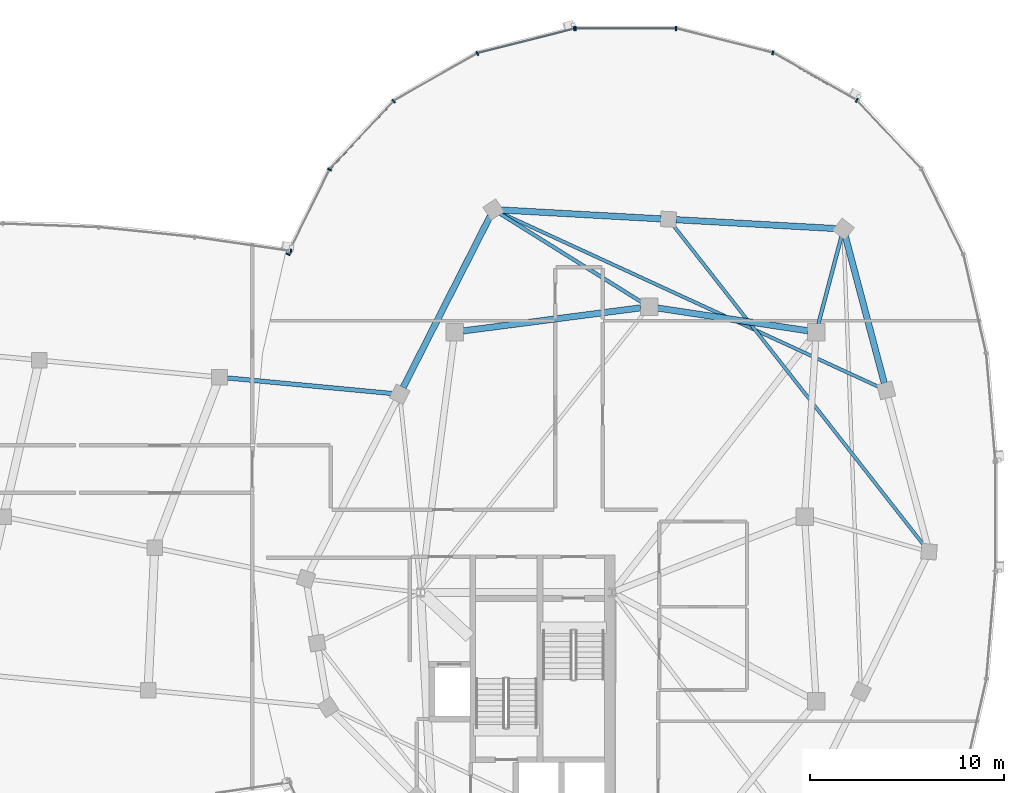
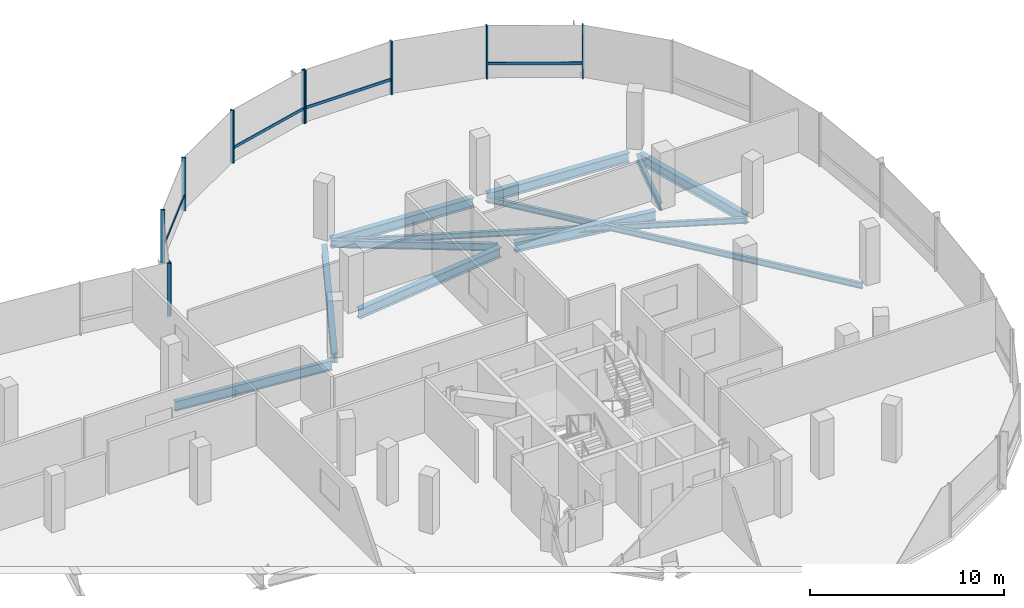
# One storey, part 10 of 25: 14 members, 11 beams, 3 elements without a shape of their own.
"""IFC4 building model written with IfcOpenShell, lengths in metres."""

from ifc_helpers import new_model, si_unit, direction, frame, origin, origin_2d, place, context, subcontext, project, spatial, rectangle, i_section, extrude, material, material_profile, profile_set, type_object, element, aggregate, save


model = new_model("IFC4")

# Units and contexts
model_context = context("Model", 3, precision=1e-05, world=origin(), true_north=direction((0.0, 1.0)))
body_context = subcontext(model_context, "Body", "Model", "MODEL_VIEW")
ifc_project = project(units=[si_unit("LENGTHUNIT", "METRE"), si_unit("AREAUNIT", "SQUARE_METRE"), si_unit("VOLUMEUNIT", "CUBIC_METRE"), si_unit("PLANEANGLEUNIT", "RADIAN"), si_unit("MASSUNIT", "GRAM", prefix="KILO"), si_unit("THERMODYNAMICTEMPERATUREUNIT", "KELVIN"), si_unit("POWERUNIT", "WATT")], contexts=[model_context])

# Site, building, storey
site_placement = place(None, origin())
site = spatial("IfcSite", under=ifc_project, at=site_placement, CompositionType="ELEMENT")
building_placement = place(site_placement, origin())
building = spatial("IfcBuilding", under=site, at=building_placement, Name="Cundina Bronze Exchange", CompositionType="ELEMENT")
storey_placement = place(building_placement, frame((0.0, 0.0, 257.60009765625)))
storey = spatial("IfcBuildingStorey", under=building, at=storey_placement, Name="L68", CompositionType="ELEMENT", Elevation=257.60009765625)

# Beams
ifc_material_1 = material(Name="Steel ASTM A992 Grade 50", Category="steel")
ifc_material_profile_1 = material_profile(ifc_material_1, i_section(OverallWidth=0.19091796875, OverallDepth=0.4599609375, WebThickness=0.010009765625, FlangeThickness=0.01611328125, FilletRadius=0.011962890625, at=origin_2d()), Name="W18X55", Category="steel")
ifc_profile_set_1 = profile_set([ifc_material_profile_1], Name="Steel ASTM A992 Grade 50")
beam_type_1 = type_object("IfcBeamType", Name="BM-FLR-W18B", PredefinedType="BEAM", material=ifc_profile_set_1)
beam_1_placement = place(storey_placement, frame((41.911865234375, 9.923583984375, -0.489990234375), z_axis=(0.255383723615, 0.96683977665, 0.0), x_axis=(-0.96683977665, 0.255383723615, 0.0)))
element("IfcBeam", 1, at=beam_1_placement, inside=storey, type_object=beam_type_1, Name="L68 Leg E Chordal Floor Beam 10", PredefinedType="BEAM", context=body_context, shape_type="SweptSolid", body=[
    extrude(i_section(OverallWidth=0.19091796875, OverallDepth=0.4599609375, WebThickness=0.010009765625, FlangeThickness=0.01611328125, FilletRadius=0.011962890625, at=origin_2d()), origin(), (0.0, 0.0, 1.0), 4.655517578125),
])
beam_2_placement = place(storey_placement, frame((32.82861328125, 11.031982421875, -0.489990234375), z_axis=(-0.847983963552, 0.530021884038, 0.0), x_axis=(-0.530021884038, -0.847983963552, 0.0)))
element("IfcBeam", 2, at=beam_2_placement, inside=storey, type_object=beam_type_1, Name="L68 Leg E Chordal Floor Beam 12", PredefinedType="BEAM", context=body_context, shape_type="SweptSolid", body=[
    extrude(i_section(OverallWidth=0.19091796875, OverallDepth=0.4599609375, WebThickness=0.010009765625, FlangeThickness=0.01611328125, FilletRadius=0.011962890625, at=origin_2d()), origin(), (0.0, 0.0, 1.0), 8.608154296875),
])
ifc_material_profile_2 = material_profile(ifc_material_1, i_section(OverallWidth=0.22998046875, OverallDepth=0.616943359375, WebThickness=0.01318359375, FlangeThickness=0.022216796875, FilletRadius=0.013916015625, at=origin_2d()), Name="W24X94", Category="steel")
ifc_profile_set_2 = profile_set([ifc_material_profile_2], Name="Steel ASTM A992 Grade 50")
beam_type_2 = type_object("IfcBeamType", Name="BM-FLR-W24B", PredefinedType="BEAM", material=ifc_profile_set_2)
beam_3_placement = place(storey_placement, frame((11.285400390625, 7.158203125, -0.628662109375), z_axis=(0.995572136276, -0.094000646124, 0.0), x_axis=(0.094000646124, 0.995572136276, 0.0)))
element("IfcBeam", 3, at=beam_3_placement, inside=storey, type_object=beam_type_2, Name="L68 Sky-Gate Longitudinal Girder Y3-P4", PredefinedType="BEAM", context=body_context, shape_type="SweptSolid", body=[
    extrude(i_section(OverallWidth=0.22998046875, OverallDepth=0.616943359375, WebThickness=0.01318359375, FlangeThickness=0.022216796875, FilletRadius=0.013916015625, at=origin_2d()), origin(), (0.0, 0.0, 1.0), 8.949951171875),
])
ifc_material_profile_3 = material_profile(ifc_material_1, i_section(OverallWidth=0.172119140625, OverallDepth=0.35791015625, WebThickness=0.0078125, FlangeThickness=0.01318359375, FilletRadius=0.010009765625, at=origin_2d()), Name="W14X38", Category="steel")
ifc_profile_set_3 = profile_set([ifc_material_profile_3], Name="Steel ASTM A992 Grade 50")
beam_type_3 = type_object("IfcBeamType", Name="BM-JST-W14", PredefinedType="JOIST", material=ifc_profile_set_3)
beam_4_placement = place(storey_placement, frame((47.360595703125, -1.49462890625, -0.439208984375), z_axis=(-0.616804005008, 0.78711677622, 0.0), x_axis=(-0.78711677622, -0.616804005008, 0.0)))
element("IfcBeam", 4, at=beam_4_placement, inside=storey, type_object=beam_type_3, Name="L68 Leg E Lobe Floor Joist 08-11", PredefinedType="JOIST", context=body_context, shape_type="SweptSolid", body=[
    extrude(i_section(OverallWidth=0.172119140625, OverallDepth=0.35791015625, WebThickness=0.0078125, FlangeThickness=0.01318359375, FilletRadius=0.010009765625, at=origin_2d()), origin(), (0.0, 0.0, 1.0), 20.948974609375),
])
beam_5_placement = place(storey_placement, frame((45.047607421875, 6.662353515625, -0.439208984375), z_axis=(-0.908356175703, 0.418197391266, 0.0), x_axis=(-0.418197391266, -0.908356175703, 0.0)))
element("IfcBeam", 5, at=beam_5_placement, inside=storey, type_object=beam_type_3, Name="L68 Leg E Lobe Floor Joist 09-12", PredefinedType="JOIST", context=body_context, shape_type="SweptSolid", body=[
    extrude(i_section(OverallWidth=0.172119140625, OverallDepth=0.35791015625, WebThickness=0.0078125, FlangeThickness=0.01318359375, FilletRadius=0.010009765625, at=origin_2d()), origin(), (0.0, 0.0, 1.0), 21.4619140625),
])
ifc_material_profile_4 = material_profile(ifc_material_1, i_section(OverallWidth=0.324951171875, OverallDepth=0.615966796875, WebThickness=0.013916015625, FlangeThickness=0.021484375, FilletRadius=0.01611328125, at=origin_2d()), Name="W24X117", Category="steel")
ifc_profile_set_4 = profile_set([ifc_material_profile_4], Name="Steel ASTM A992 Grade 50")
beam_type_4 = type_object("IfcBeamType", Name="BM-RING-W24", PredefinedType="USERDEFINED", material=ifc_profile_set_4)
beam_6_placement = place(storey_placement, frame((41.366943359375, 9.5654296875, -0.568115234375), z_axis=(-0.988764903598, 0.149478979839, 0.0), x_axis=(-0.149478979839, -0.988764903598, 0.0)))
element("IfcBeam", 6, at=beam_6_placement, inside=storey, type_object=beam_type_4, Name="L68 E Inner Structural Ring Girder 05", ObjectType="GIRDER", PredefinedType="USERDEFINED", context=body_context, shape_type="SweptSolid", body=[
    extrude(i_section(OverallWidth=0.324951171875, OverallDepth=0.615966796875, WebThickness=0.013916015625, FlangeThickness=0.021484375, FilletRadius=0.01611328125, at=origin_2d()), origin(), (0.0, 0.0, 1.0), 7.82177734375),
])
beam_7_placement = place(storey_placement, frame((32.765625, 10.743408203125, -0.568115234375), z_axis=(-0.991656498582, -0.128908451316, 0.0), x_axis=(0.128908451316, -0.991656498582, 0.0)))
element("IfcBeam", 7, at=beam_7_placement, inside=storey, type_object=beam_type_4, Name="L68 E Inner Structural Ring Girder 06", ObjectType="GIRDER", PredefinedType="USERDEFINED", context=body_context, shape_type="SweptSolid", body=[
    extrude(i_section(OverallWidth=0.324951171875, OverallDepth=0.615966796875, WebThickness=0.013916015625, FlangeThickness=0.021484375, FilletRadius=0.01611328125, at=origin_2d()), origin(), (0.0, 0.0, 1.0), 9.208251953125),
])
beam_8_placement = place(storey_placement, frame((45.300537109375, 6.875, -0.568115234375), z_axis=(-0.256212999207, 0.966620348967, 0.0), x_axis=(-0.966620348967, -0.256212999207, 0.0)))
element("IfcBeam", 8, at=beam_8_placement, inside=storey, type_object=beam_type_4, Name="L68 E Perimeter Ring Girder 09", ObjectType="GIRDER", PredefinedType="USERDEFINED", context=body_context, shape_type="SweptSolid", body=[
    extrude(i_section(OverallWidth=0.324951171875, OverallDepth=0.615966796875, WebThickness=0.013916015625, FlangeThickness=0.021484375, FilletRadius=0.01611328125, at=origin_2d()), origin(), (0.0, 0.0, 1.0), 7.810791015625),
])
for number, where, z_axis, x_axis, name in (
    (9, (42.8125, 14.821533203125, -0.568115234375), (-0.998459806018, 0.055479868117, 0.0), (-0.055479868117, -0.998459806018, 0.0), "L68 E Perimeter Ring Girder 10"),
    (10, (33.8125, 15.321533203125, -0.568115234375), (-0.998459806018, 0.055479868117, 0.0), (-0.055479868117, -0.998459806018, 0.0), "L68 E Perimeter Ring Girder 11"),
):
    element("IfcBeam", number, at=place(storey_placement, frame(where, z_axis=z_axis, x_axis=x_axis)), inside=storey, type_object=beam_type_4, Name=name, ObjectType="GIRDER", PredefinedType="USERDEFINED", context=body_context, shape_type="SweptSolid", body=[
        extrude(i_section(OverallWidth=0.324951171875, OverallDepth=0.615966796875, WebThickness=0.013916015625, FlangeThickness=0.021484375, FilletRadius=0.01611328125, at=origin_2d()), origin(), (0.0, 0.0, 1.0), 8.23779296875),
    ])
beam_9_placement = place(storey_placement, frame((25.0244140625, 15.4541015625, -0.568115234375), z_axis=(-0.452839263805, -0.891592171991, 0.0), x_axis=(0.891592171991, -0.452839263805, 0.0)))
element("IfcBeam", 11, at=beam_9_placement, inside=storey, type_object=beam_type_4, Name="L68 E Perimeter Ring Girder 12", ObjectType="GIRDER", PredefinedType="USERDEFINED", context=body_context, shape_type="SweptSolid", body=[
    extrude(i_section(OverallWidth=0.324951171875, OverallDepth=0.615966796875, WebThickness=0.013916015625, FlangeThickness=0.021484375, FilletRadius=0.01611328125, at=origin_2d()), origin(), (0.0, 0.0, 1.0), 9.879150390625),
])

# Curtain wall, members
ifc_material_2 = material(Name="Anodised Bronze Aluminium 6063-T6", Category="aluminium")
curtain_wall_type = type_object("IfcCurtainWallType", Name="CWS-SKG-BRG", PredefinedType="NOTDEFINED", material=ifc_material_2)
curtain_wall_1_placement = place(storey_placement, origin())
curtain_wall_1 = element("IfcCurtainWall", 12, at=curtain_wall_1_placement, inside=storey, type_object=curtain_wall_type, Name="L68 CW-06 Curtain Wall Run CWR-L68-E1", PredefinedType="NOTDEFINED")
ifc_material_profile_5 = material_profile(ifc_material_2, rectangle(XDim=0.074951171875, YDim=0.219970703125, at=origin_2d()), Name="AL75X220", Category="aluminium")
ifc_profile_set_5 = profile_set([ifc_material_profile_5], Name="Anodised Bronze Aluminium 6063-T6")
member_type_1 = type_object("IfcMemberType", Name="CWM-MUL-220", PredefinedType="MULLION", material=ifc_profile_set_5)
member_1_placement = place(storey_placement, frame((43.88916015625, 21.419921875, 0.0), z_axis=(0.0, 0.0, 1.0), x_axis=(-0.86958112538, 0.493790103568, 0.0)))
member_1 = element("IfcMember", 13, at=member_1_placement, type_object=member_type_1, Name="CW-06 Mullion 5", PredefinedType="MULLION", context=body_context, shape_type="SweptSolid", body=[
    extrude(rectangle(XDim=0.074951171875, YDim=0.219970703125, at=origin_2d()), origin(), (0.0, 0.0, 1.0), 3.33984375),
])
member_2_placement = place(storey_placement, frame((39.5703125, 23.86181640625, 0.0), z_axis=(0.0, 0.0, 1.0), x_axis=(-0.969744325821, 0.244122802168, 0.0)))
member_2 = element("IfcMember", 14, at=member_2_placement, type_object=member_type_1, Name="CW-06 Mullion 6", PredefinedType="MULLION", context=body_context, shape_type="SweptSolid", body=[
    extrude(rectangle(XDim=0.074951171875, YDim=0.219970703125, at=origin_2d()), origin(), (0.0, 0.0, 1.0), 3.33984375),
])
member_3_placement = place(storey_placement, frame((34.576416015625, 25.110107421875, 0.0), z_axis=(0.0, 0.0, 1.0), x_axis=(-1.0, 0.0, 0.0)))
member_3 = element("IfcMember", 15, at=member_3_placement, type_object=member_type_1, Name="CW-06 Mullion 7", PredefinedType="MULLION", context=body_context, shape_type="SweptSolid", body=[
    extrude(rectangle(XDim=0.074951171875, YDim=0.219970703125, at=origin_2d()), origin(), (0.0, 0.0, 1.0), 3.33984375),
])
member_4_placement = place(storey_placement, frame((29.423583984375, 25.110107421875, 0.0), z_axis=(0.0, 0.0, 1.0), x_axis=(-1.0, 0.0, 0.0)))
member_4 = element("IfcMember", 16, at=member_4_placement, type_object=member_type_1, Name="CW-06 End Mullion", PredefinedType="MULLION", context=body_context, shape_type="SweptSolid", body=[
    extrude(rectangle(XDim=0.074951171875, YDim=0.219970703125, at=origin_2d()), origin(), (0.0, 0.0, 1.0), 3.33984375),
])

curtain_wall_2_placement = place(storey_placement, origin())
curtain_wall_2 = element("IfcCurtainWall", 17, at=curtain_wall_2_placement, inside=storey, type_object=curtain_wall_type, Name="L68 CW-06 Curtain Wall Run CWR-L68-E2", PredefinedType="NOTDEFINED")
member_5_placement = place(storey_placement, frame((29.351806640625, 25.10107421875, 0.0), z_axis=(0.0, 0.0, 1.0), x_axis=(-0.969744325821, -0.244122802168, 0.0)))
member_5 = element("IfcMember", 18, at=member_5_placement, type_object=member_type_1, Name="CW-06 Mullion 1", PredefinedType="MULLION", context=body_context, shape_type="SweptSolid", body=[
    extrude(rectangle(XDim=0.074951171875, YDim=0.219970703125, at=origin_2d()), origin(), (0.0, 0.0, 1.0), 3.33984375),
])
member_6_placement = place(storey_placement, frame((24.365478515625, 23.8359375, 0.0), z_axis=(0.0, 0.0, 1.0), x_axis=(-0.86958112538, -0.493790103568, 0.0)))
member_6 = element("IfcMember", 19, at=member_6_placement, type_object=member_type_1, Name="CW-06 Mullion 2", PredefinedType="MULLION", context=body_context, shape_type="SweptSolid", body=[
    extrude(rectangle(XDim=0.074951171875, YDim=0.219970703125, at=origin_2d()), origin(), (0.0, 0.0, 1.0), 3.33984375),
])
member_7_placement = place(storey_placement, frame((20.059814453125, 21.3798828125, 0.0), z_axis=(0.0, 0.0, 1.0), x_axis=(-0.684292606175, -0.729207535023, 0.0)))
member_7 = element("IfcMember", 20, at=member_7_placement, type_object=member_type_1, Name="CW-06 Mullion 3", PredefinedType="MULLION", context=body_context, shape_type="SweptSolid", body=[
    extrude(rectangle(XDim=0.074951171875, YDim=0.219970703125, at=origin_2d()), origin(), (0.0, 0.0, 1.0), 3.33984375),
])
member_8_placement = place(storey_placement, frame((16.7666015625, 17.856689453125, 0.0), z_axis=(0.0, 0.0, 1.0), x_axis=(-0.440566004113, -0.897720221461, 0.0)))
member_8 = element("IfcMember", 21, at=member_8_placement, type_object=member_type_1, Name="CW-06 Mullion 4", PredefinedType="MULLION", context=body_context, shape_type="SweptSolid", body=[
    extrude(rectangle(XDim=0.074951171875, YDim=0.219970703125, at=origin_2d()), origin(), (0.0, 0.0, 1.0), 3.33984375),
])
member_9_placement = place(storey_placement, frame((14.630859375, 13.50390625, 0.0), z_axis=(0.0, 0.0, 1.0), x_axis=(-0.440566004113, -0.897720221461, 0.0)))
member_9 = element("IfcMember", 22, at=member_9_placement, type_object=member_type_1, Name="CW-06 End Mullion", PredefinedType="MULLION", context=body_context, shape_type="SweptSolid", body=[
    extrude(rectangle(XDim=0.074951171875, YDim=0.219970703125, at=origin_2d()), origin(), (0.0, 0.0, 1.0), 3.33984375),
])

# Curtain wall, member
curtain_wall_3_placement = place(storey_placement, origin())
curtain_wall_3 = element("IfcCurtainWall", 23, at=curtain_wall_3_placement, inside=storey, type_object=curtain_wall_type, Name="L68 CW-06 Curtain Wall Run CWR-L68-BRGN", PredefinedType="NOTDEFINED")
member_10_placement = place(storey_placement, frame((14.779296875, 13.658935546875, 0.0), z_axis=(0.0, 0.0, 1.0), x_axis=(-0.989525789069, 0.144356201001, 0.0)))
member_10 = element("IfcMember", 24, at=member_10_placement, type_object=member_type_1, Name="CW-06 Mullion 1", PredefinedType="MULLION", context=body_context, shape_type="SweptSolid", body=[
    extrude(rectangle(XDim=0.074951171875, YDim=0.219970703125, at=origin_2d()), origin(), (0.0, 0.0, 1.0), 3.27978515625),
])
aggregate(curtain_wall_3, [member_10])

# Member
ifc_material_profile_6 = material_profile(ifc_material_2, rectangle(XDim=0.070068359375, YDim=0.179931640625, at=origin_2d()), Name="AL70X180", Category="aluminium")
ifc_profile_set_6 = profile_set([ifc_material_profile_6], Name="Anodised Bronze Aluminium 6063-T6")
member_type_2 = type_object("IfcMemberType", Name="CWM-TRN-180", PredefinedType="USERDEFINED", material=ifc_profile_set_6)
member_11_placement = place(storey_placement, frame((43.853271484375, 21.440185546875, 0.919921875), z_axis=(-0.869557366176, 0.493831941989, 0.0), x_axis=(-0.493831941989, -0.869557366176, 0.0)))
member_11 = element("IfcMember", 25, at=member_11_placement, type_object=member_type_2, Name="CW-06 Spandrel Transom 5", ObjectType="TRANSOM", PredefinedType="USERDEFINED", context=body_context, shape_type="SweptSolid", body=[
    extrude(rectangle(XDim=0.070068359375, YDim=0.179931640625, at=origin_2d()), origin(), (0.0, 0.0, 1.0), 4.892822265625),
])

member_12_placement = place(storey_placement, frame((34.53515625, 25.110107421875, 0.919921875), z_axis=(-1.0, 0.0, 0.0), x_axis=(0.0, -1.0, 0.0)))
member_12 = element("IfcMember", 26, at=member_12_placement, type_object=member_type_2, Name="CW-06 Spandrel Transom 7", ObjectType="TRANSOM", PredefinedType="USERDEFINED", context=body_context, shape_type="SweptSolid", body=[
    extrude(rectangle(XDim=0.070068359375, YDim=0.179931640625, at=origin_2d()), origin(), (0.0, 0.0, 1.0), 5.070556640625),
])

aggregate(curtain_wall_1, [member_1, member_11, member_2, member_3, member_4, member_12])

member_13_placement = place(storey_placement, frame((29.311767578125, 25.091064453125, 0.919921875), z_axis=(-0.969736547481, -0.244153698478, 0.0), x_axis=(0.244153698478, -0.969736547481, 0.0)))
member_13 = element("IfcMember", 27, at=member_13_placement, type_object=member_type_2, Name="CW-06 Spandrel Transom 1", ObjectType="TRANSOM", PredefinedType="USERDEFINED", context=body_context, shape_type="SweptSolid", body=[
    extrude(rectangle(XDim=0.070068359375, YDim=0.179931640625, at=origin_2d()), origin(), (0.0, 0.0, 1.0), 5.07568359375),
])

member_14_placement = place(storey_placement, frame((20.031494140625, 21.349609375, 0.919921875), z_axis=(-0.684328474899, -0.729173873944, 0.0), x_axis=(0.729173873944, -0.684328474899, 0.0)))
member_14 = element("IfcMember", 28, at=member_14_placement, type_object=member_type_2, Name="CW-06 Spandrel Transom 3", ObjectType="TRANSOM", PredefinedType="USERDEFINED", context=body_context, shape_type="SweptSolid", body=[
    extrude(rectangle(XDim=0.070068359375, YDim=0.179931640625, at=origin_2d()), origin(), (0.0, 0.0, 1.0), 4.758056640625),
])

aggregate(curtain_wall_2, [member_5, member_13, member_6, member_7, member_14, member_8, member_9])

save(model, "model.ifc")
